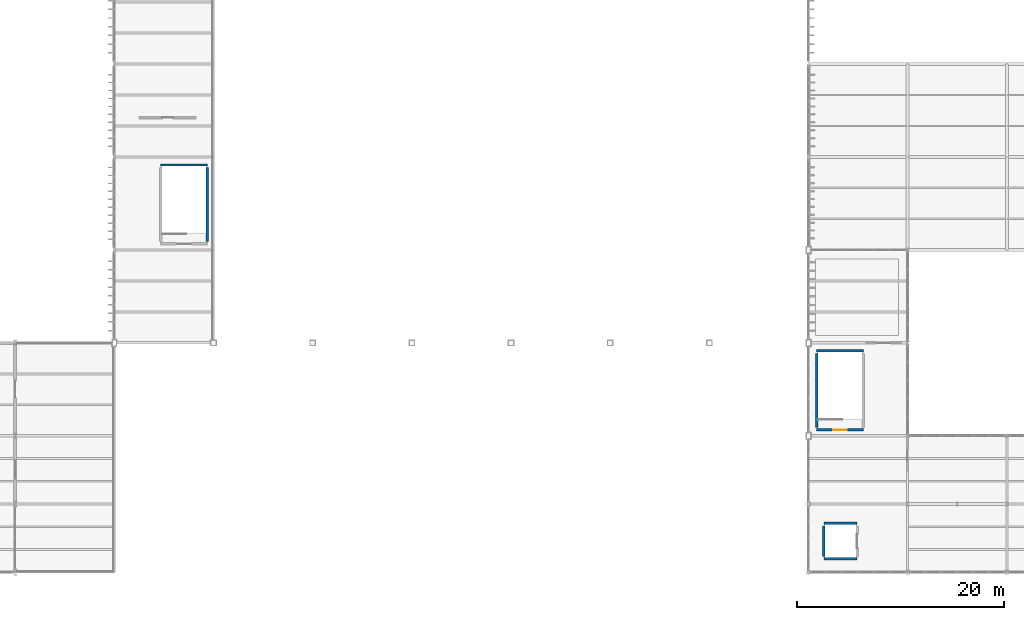
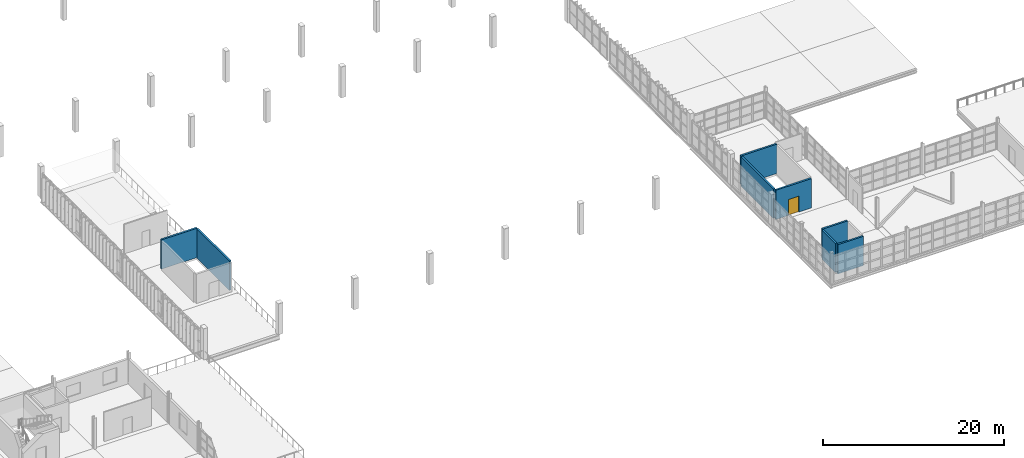
# One storey, part 70 of 82: 8 walls, 1 door, 1 opening.
"""IFC4 building model written with IfcOpenShell, lengths in metres."""

from ifc_helpers import new_model, si_unit, direction, frame, frame_2d, origin, place, context, subcontext, project, spatial, rectangle, extrude, material, layer, layer_set, type_object, element, fill, save


model = new_model("IFC4")

# Units and contexts
model_context = context("Model", 3, precision=1e-05, world=origin(), true_north=direction((0.0, 1.0)))
body_context = subcontext(model_context, "Body", "Model", "MODEL_VIEW")
ifc_project = project(units=[si_unit("LENGTHUNIT", "METRE"), si_unit("AREAUNIT", "SQUARE_METRE"), si_unit("VOLUMEUNIT", "CUBIC_METRE"), si_unit("PLANEANGLEUNIT", "RADIAN"), si_unit("MASSUNIT", "GRAM", prefix="KILO")], contexts=[model_context])

# Site, building, storey
site_placement = place(None, origin())
site = spatial("IfcSite", under=ifc_project, at=site_placement, CompositionType="ELEMENT")
building_placement = place(site_placement, origin())
building = spatial("IfcBuilding", under=site, at=building_placement, Name="Zarnetskaya Central Station", CompositionType="ELEMENT")
storey_placement = place(building_placement, frame((0.0, 0.0, 10.199951171875)))
storey = spatial("IfcBuildingStorey", under=building, at=storey_placement, Name="L02", CompositionType="ELEMENT", Elevation=10.199951171875)

# Walls
ifc_material_1 = material(Name="Concrete C35/45", Category="concrete")
ifc_layer = layer(ifc_material_1, 0.239990234375, Name="Concrete C35/45", Category="concrete")
ifc_layer_set = layer_set([ifc_layer], Name="Concrete C35/45")
wall_type = type_object("IfcWallType", Name="WALL-SHFT-240", PredefinedType="SHEAR", material=ifc_layer_set)
for number, where, z_axis, x_axis, name in (
    (1, (129.52001953125, 1.280029296875, 0.0), (0.0, 0.0, 1.0), (-1.0, 0.0, 0.0), "Core shear wall WSHF-L02-0185"),
    (2, (126.280029296875, 4.719970703125, 0.0), (0.0, 0.0, 1.0), (1.0, 0.0, 0.0), "Core shear wall WSHF-L02-0186"),
):
    element("IfcWall", number, at=place(storey_placement, frame(where, z_axis=z_axis, x_axis=x_axis)), inside=storey, type_object=wall_type, Name=name, PredefinedType="SHEAR", context=body_context, shape_type="SweptSolid", body=[
        extrude(rectangle(XDim=3.239990234375, YDim=0.239990234375, at=frame_2d((1.6201171875, 0.0))), origin(), (0.0, 0.0, 1.0), 3.949951171875),
    ])
wall_1_placement = place(storey_placement, frame((126.280029296875, 1.52001953125, 0.0), z_axis=(0.0, 0.0, 1.0), x_axis=(0.0, 1.0, 0.0)))
element("IfcWall", 3, at=wall_1_placement, inside=storey, type_object=wall_type, Name="Core shear wall WSHF-L02-0187", PredefinedType="SHEAR", context=body_context, shape_type="SweptSolid", body=[
    extrude(rectangle(XDim=2.9599609375, YDim=0.239990234375, at=frame_2d((1.47998046875, 0.0))), origin(), (0.0, 0.0, 1.0), 3.949951171875),
])
wall_2_placement = place(storey_placement, frame((62.080078125, 39.419921875, 0.0), z_axis=(0.0, 0.0, 1.0), x_axis=(1.0, 0.0, 0.0)))
element("IfcWall", 4, at=wall_2_placement, inside=storey, type_object=wall_type, Name="Core shear wall WSTR-L02-0282", PredefinedType="SHEAR", context=body_context, shape_type="SweptSolid", body=[
    extrude(rectangle(XDim=4.5400390625, YDim=0.239990234375, at=frame_2d((2.27001953125, 0.0))), origin(), (0.0, 0.0, 1.0), 3.949951171875),
])
wall_3_placement = place(storey_placement, frame((66.6201171875, 39.179931640625, 0.0), z_axis=(0.0, 0.0, 1.0), x_axis=(0.0, -1.0, 0.0)))
element("IfcWall", 5, at=wall_3_placement, inside=storey, type_object=wall_type, Name="Core shear wall WSTR-L02-0284", PredefinedType="SHEAR", context=body_context, shape_type="SweptSolid", body=[
    extrude(rectangle(XDim=7.159912109375, YDim=0.239990234375, at=frame_2d((3.580078125, 0.0))), origin(), (0.0, 0.0, 1.0), 3.949951171875),
])

# Wall, opening, door
wall_4_placement = place(storey_placement, frame((130.1201171875, 13.780029296875, 0.0), z_axis=(0.0, 0.0, 1.0), x_axis=(-1.0, 0.0, 0.0)))
wall_4 = element("IfcWall", 6, at=wall_4_placement, inside=storey, type_object=wall_type, Name="Core shear wall WSTR-L02-0297", PredefinedType="SHEAR", context=body_context, shape_type="SweptSolid", body=[
    extrude(rectangle(XDim=4.5400390625, YDim=0.239990234375, at=frame_2d((2.27001953125, 0.0))), origin(), (0.0, 0.0, 1.0), 3.949951171875),
])
opening_placement = place(wall_4_placement, frame((1.610107421875, 0.0, 0.0)))
opening = element("IfcOpeningElement", 7, at=opening_placement, cuts=wall_4, Name="Opening DR-FD60", PredefinedType="OPENING", context=body_context, shape_type="SweptSolid", body=[
    extrude(rectangle(XDim=1.320068359375, YDim=2.14990234375, at=frame_2d((0.66015625, 1.074951171875))), frame((0.0, 0.1298828125, 0.0), z_axis=(0.0, -1.0, 0.0), x_axis=(1.0, 0.0, 0.0)), (0.0, 0.0, 1.0), 0.260009765625),
])
ifc_material_2 = material(Name="Anodised aluminium", Category="aluminium")
door_type = type_object("IfcDoorType", Name="DR-FIRE-STAIR", OperationType="NOTDEFINED", PredefinedType="DOOR", material=ifc_material_2)
door_placement = place(opening_placement, origin())
door = element("IfcDoor", 8, at=door_placement, inside=storey, type_object=door_type, Name="Protected exit stair door ST-V1 L02", OperationType="SINGLE_SWING_LEFT", OverallHeight=2.14990234375, OverallWidth=1.320068359375, PredefinedType="DOOR", context=body_context, shape_type="SweptSolid", body=[
    extrude(rectangle(XDim=1.320068359375, YDim=2.14990234375, at=frame_2d((0.66015625, 1.074951171875))), frame((0.0, 0.02490234375, 0.0), z_axis=(0.0, -1.0, 0.0), x_axis=(1.0, 0.0, 0.0)), (0.0, 0.0, 1.0), 0.050048828125),
])
fill(opening, door)

# Walls
wall_5_placement = place(storey_placement, frame((125.580078125, 21.419921875, 0.0), z_axis=(0.0, 0.0, 1.0), x_axis=(1.0, 0.0, 0.0)))
element("IfcWall", 9, at=wall_5_placement, inside=storey, type_object=wall_type, Name="Core shear wall WSTR-L02-0298", PredefinedType="SHEAR", context=body_context, shape_type="SweptSolid", body=[
    extrude(rectangle(XDim=4.5400390625, YDim=0.239990234375, at=frame_2d((2.27001953125, 0.0))), origin(), (0.0, 0.0, 1.0), 3.949951171875),
])
wall_6_placement = place(storey_placement, frame((125.580078125, 14.02001953125, 0.0), z_axis=(0.0, 0.0, 1.0), x_axis=(0.0, 1.0, 0.0)))
element("IfcWall", 10, at=wall_6_placement, inside=storey, type_object=wall_type, Name="Core shear wall WSTR-L02-0299", PredefinedType="SHEAR", context=body_context, shape_type="SweptSolid", body=[
    extrude(rectangle(XDim=7.159912109375, YDim=0.239990234375, at=frame_2d((3.580078125, 0.0))), origin(), (0.0, 0.0, 1.0), 3.949951171875),
])

save(model, "model.ifc")
